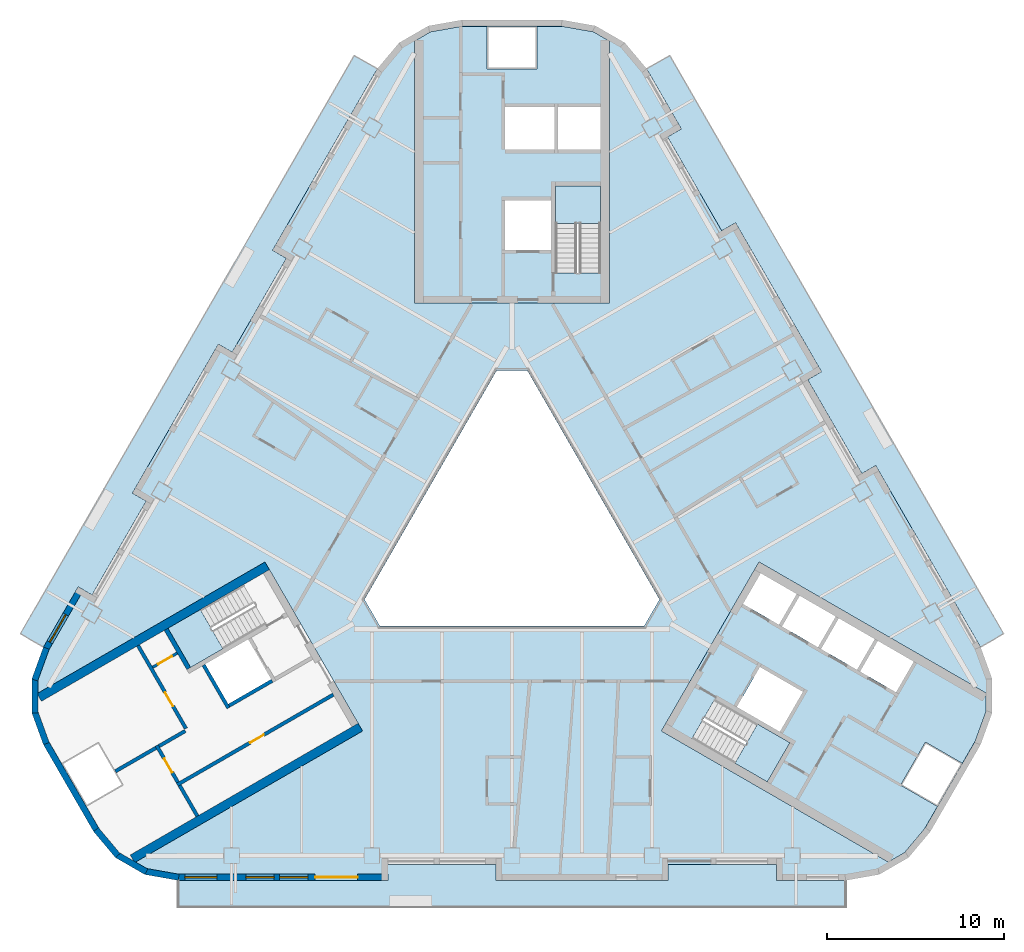
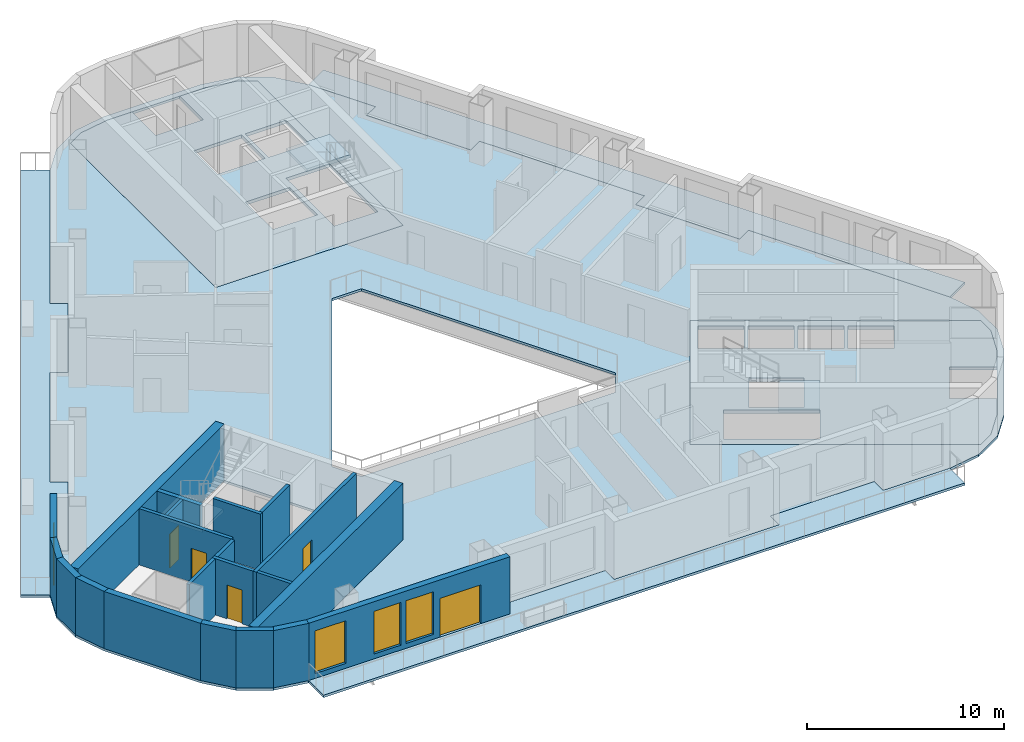
# One storey, part 2 of 13: 21 walls, 9 slabs, 5 doors, 4 windows, 9 openings, 3 elements without a shape of their own.
"""IFC4 building model written with IfcOpenShell, lengths in metres."""

from ifc_helpers import new_model, si_unit, direction, frame, frame_2d, origin, place, context, subcontext, project, spatial, polyline, rectangle, outline, extrude, material, layer, layer_set, type_object, element, fill, aggregate, save


model = new_model("IFC4")

# Units and contexts
model_context = context("Model", 3, precision=1e-05, world=origin(), true_north=direction((0.0, 1.0)))
body_context = subcontext(model_context, "Body", "Model", "MODEL_VIEW")
ifc_project = project(units=[si_unit("LENGTHUNIT", "METRE"), si_unit("AREAUNIT", "SQUARE_METRE"), si_unit("VOLUMEUNIT", "CUBIC_METRE"), si_unit("PLANEANGLEUNIT", "RADIAN"), si_unit("MASSUNIT", "GRAM", prefix="KILO")], contexts=[model_context])

# Site, building, storey
site_placement = place(None, origin())
site = spatial("IfcSite", under=ifc_project, at=site_placement, CompositionType="ELEMENT")
building_placement = place(site_placement, origin())
building = spatial("IfcBuilding", under=site, at=building_placement, Name="Apuvela Tower Hotel", CompositionType="ELEMENT")
storey_placement = place(building_placement, frame((0.0, 0.0, 124.199951171875)))
storey = spatial("IfcBuildingStorey", under=building, at=storey_placement, Name="L29", CompositionType="ELEMENT", Elevation=124.199951171875)

# Slabs
ifc_material_1 = material(Name="Concrete C50/60", Category="concrete")
ifc_layer_1 = layer(ifc_material_1, 0.199951171875)
ifc_layer_set_1 = layer_set([ifc_layer_1], Name="COR-FLOOR-200")
slab_type_1 = type_object("IfcSlabType", Name="COR-FLOOR-200", PredefinedType="FLOOR", material=ifc_layer_set_1)
slab_1_placement = place(storey_placement, frame((0.0, 0.0, -0.199951171875)))
element("IfcSlab", 1, at=slab_1_placement, inside=storey, type_object=slab_type_1, Name="Core floor N", PredefinedType="FLOOR", context=body_context, shape_type="SweptSolid", body=[
    extrude(outline(polyline([(5.5, 27.668212890625), (4.588623046875, 28.1943359375), (2.85498046875, 28.5), (1.39990234375, 28.5), (1.39990234375, 26.10009765625), (-1.39990234375, 26.10009765625), (-1.39990234375, 28.5), (-2.85498046875, 28.5), (-4.588623046875, 28.1943359375), (-5.5, 27.668212890625), (-5.5, 12.89990234375), (5.5, 12.89990234375), (5.5, 27.668212890625)]), holes=[polyline([(5.0, 14.60595703125), (2.449951171875, 14.60595703125), (2.449951171875, 19.5), (5.0, 19.5), (5.0, 14.60595703125)]), polyline([(2.199951171875, 15.89990234375), (-0.39990234375, 15.89990234375), (-0.39990234375, 18.699951171875), (2.199951171875, 18.699951171875), (2.199951171875, 15.89990234375)]), polyline([(5.0, 21.550048828125), (2.60009765625, 21.550048828125), (2.60009765625, 23.949951171875), (5.0, 23.949951171875), (5.0, 21.550048828125)]), polyline([(2.39990234375, 21.550048828125), (-0.39990234375, 21.550048828125), (-0.39990234375, 23.949951171875), (2.39990234375, 23.949951171875), (2.39990234375, 21.550048828125)])]), origin(), (0.0, 0.0, 1.0), 0.199951171875),
])
slab_2_placement = place(storey_placement, frame((0.0, 0.0, -0.199951171875)))
element("IfcSlab", 2, at=slab_2_placement, inside=storey, type_object=slab_type_1, Name="Core floor SE", PredefinedType="FLOOR", context=body_context, shape_type="SweptSolid", body=[
    extrude(outline(polyline([(21.211181640625, -18.59716796875), (22.122802734375, -18.071044921875), (23.254150390625, -16.72265625), (23.981689453125, -15.46240234375), (21.9033203125, -14.262451171875), (23.30322265625, -11.837646484375), (25.381591796875, -13.03759765625), (26.109375, -11.77734375), (26.711181640625, -10.123291015625), (26.711181640625, -9.07080078125), (13.921630859375, -1.68701171875), (8.421630859375, -11.213134765625), (21.211181640625, -18.59716796875)]), holes=[polyline([(13.01806640625, -4.052001953125), (14.01806640625, -2.31982421875), (16.044677734375, -3.489990234375), (15.044677734375, -5.221923828125), (13.01806640625, -4.052001953125)]), polyline([(17.244384765625, -6.491943359375), (15.2177734375, -5.322021484375), (16.2177734375, -3.58984375), (18.244384765625, -4.760009765625), (17.244384765625, -6.491943359375)]), polyline([(14.387451171875, -14.080078125), (10.149169921875, -11.633056640625), (11.42431640625, -9.4248046875), (15.66259765625, -11.871826171875), (14.387451171875, -14.080078125)]), polyline([(12.669921875, -9.855224609375), (13.9697265625, -7.603515625), (16.394775390625, -9.003662109375), (15.0947265625, -11.25537109375), (12.669921875, -9.855224609375)]), polyline([(19.444091796875, -7.761962890625), (17.41748046875, -6.591796875), (18.41748046875, -4.85986328125), (20.444091796875, -6.02978515625), (19.444091796875, -7.761962890625)]), polyline([(21.643798828125, -9.031982421875), (19.6171875, -7.86181640625), (20.6171875, -6.1298828125), (22.643798828125, -7.2998046875), (21.643798828125, -9.031982421875)])]), origin(), (0.0, 0.0, 1.0), 0.199951171875),
])

# Stair, slab
stair_type = type_object("IfcStairType", Name="COR-STAIR-22R", PredefinedType="HALF_TURN_STAIR", material=ifc_material_1)
stair_1_placement = place(storey_placement, origin())
stair_1 = element("IfcStair", 3, at=stair_1_placement, inside=storey, type_object=stair_type, Name="L29 Exit stair ST1", PredefinedType="HALF_TURN_STAIR")
ifc_layer_2 = layer(ifc_material_1, 0.199951171875)
ifc_layer_set_2 = layer_set([ifc_layer_2], Name="COR-LANDING-200")
slab_type_2 = type_object("IfcSlabType", Name="COR-LANDING-200", PredefinedType="LANDING", material=ifc_layer_set_2)
slab_3_placement = place(storey_placement, frame((0.0, 0.0, 1.650146484375)))
slab_3 = element("IfcSlab", 4, at=slab_3_placement, type_object=slab_type_2, Name="ST1 landing 1", PredefinedType="LANDING", context=body_context, shape_type="SweptSolid", body=[
    extrude(outline(polyline([(5.0, 17.39404296875), (5.0, 19.5), (2.449951171875, 19.5), (2.449951171875, 17.39404296875), (5.0, 17.39404296875)])), origin(), (0.0, 0.0, 1.0), 0.199951171875),
])
aggregate(stair_1, [slab_3])

stair_2_placement = place(storey_placement, origin())
stair_2 = element("IfcStair", 5, at=stair_2_placement, inside=storey, type_object=stair_type, Name="L29 Exit stair ST2", PredefinedType="HALF_TURN_STAIR")
slab_4_placement = place(storey_placement, frame((0.0, 0.0, 1.650146484375)))
slab_4 = element("IfcSlab", 6, at=slab_4_placement, type_object=slab_type_2, Name="ST2 landing 1", PredefinedType="LANDING", context=body_context, shape_type="SweptSolid", body=[
    extrude(outline(polyline([(-17.563720703125, -4.366943359375), (-19.387451171875, -5.419921875), (-18.112548828125, -7.628173828125), (-16.28857421875, -6.5751953125), (-17.563720703125, -4.366943359375)])), origin(), (0.0, 0.0, 1.0), 0.199951171875),
])
aggregate(stair_2, [slab_4])

stair_3_placement = place(storey_placement, origin())
stair_3 = element("IfcStair", 7, at=stair_3_placement, inside=storey, type_object=stair_type, Name="L29 Exit stair ST3", PredefinedType="HALF_TURN_STAIR")
slab_5_placement = place(storey_placement, frame((0.0, 0.0, 1.650146484375)))
slab_5 = element("IfcSlab", 8, at=slab_5_placement, type_object=slab_type_2, Name="ST3 landing 1", PredefinedType="LANDING", context=body_context, shape_type="SweptSolid", body=[
    extrude(outline(polyline([(12.563720703125, -13.027099609375), (14.387451171875, -14.080078125), (15.66259765625, -11.871826171875), (13.838623046875, -10.81884765625), (12.563720703125, -13.027099609375)])), origin(), (0.0, 0.0, 1.0), 0.199951171875),
])
aggregate(stair_3, [slab_5])

# Slabs
ifc_material_2 = material(Name="Concrete C40/50, fair-faced", Category="concrete")
ifc_layer_3 = layer(ifc_material_2, 0.14990234375)
ifc_layer_set_3 = layer_set([ifc_layer_3], Name="ENV-BALCONY-150")
slab_type_3 = type_object("IfcSlabType", Name="ENV-BALCONY-150", PredefinedType="FLOOR", material=ifc_layer_set_3)
slab_6_placement = place(storey_placement, frame((0.0, 0.0, -0.14990234375)))
element("IfcSlab", 9, at=slab_6_placement, inside=storey, type_object=slab_type_3, Name="Balcony slab S L29", PredefinedType="FLOOR", context=body_context, shape_type="SweptSolid", body=[
    extrude(outline(polyline([(18.82080078125, -21.135009765625), (-18.82080078125, -21.135009765625), (-18.82080078125, -19.625), (-7.0048828125, -19.625), (-7.0048828125, -18.72509765625), (-0.89501953125, -18.72509765625), (-0.89501953125, -19.625), (8.794921875, -19.625), (8.794921875, -18.72509765625), (14.905029296875, -18.72509765625), (14.905029296875, -19.625), (18.82080078125, -19.625), (18.82080078125, -21.135009765625)])), origin(), (0.0, 0.0, 1.0), 0.14990234375),
])
slab_7_placement = place(storey_placement, frame((0.0, 0.0, -0.14990234375)))
element("IfcSlab", 10, at=slab_7_placement, inside=storey, type_object=slab_type_3, Name="Balcony slab NE L29", PredefinedType="FLOOR", context=body_context, shape_type="SweptSolid", body=[
    extrude(outline(polyline([(17.443359375, 9.037353515625), (12.598388671875, 17.42919921875), (11.81884765625, 16.979248046875), (8.763916015625, 22.2705078125), (9.543212890625, 22.720703125), (7.585205078125, 26.11181640625), (8.89306640625, 26.86669921875), (27.7138671875, -5.731689453125), (26.40625, -6.48681640625), (20.498291015625, 3.74609375), (19.71875, 3.2958984375), (16.663818359375, 8.58740234375), (17.443359375, 9.037353515625)])), origin(), (0.0, 0.0, 1.0), 0.14990234375),
])
slab_8_placement = place(storey_placement, frame((0.0, 0.0, -0.14990234375)))
element("IfcSlab", 11, at=slab_8_placement, inside=storey, type_object=slab_type_3, Name="Balcony slab NW L29", PredefinedType="FLOOR", context=body_context, shape_type="SweptSolid", body=[
    extrude(outline(polyline([(-27.7138671875, -5.731689453125), (-8.89306640625, 26.86669921875), (-7.585205078125, 26.11181640625), (-13.4931640625, 15.87890625), (-12.7138671875, 15.428955078125), (-15.768798828125, 10.1376953125), (-16.548095703125, 10.587646484375), (-21.393310546875, 2.19580078125), (-20.61376953125, 1.745849609375), (-23.668701171875, -3.545654296875), (-24.4482421875, -3.095703125), (-26.40625, -6.48681640625), (-27.7138671875, -5.731689453125)])), origin(), (0.0, 0.0, 1.0), 0.14990234375),
])
ifc_material_3 = material(Name="Concrete C35/45", Category="concrete")
ifc_layer_4 = layer(ifc_material_3, 0.14990234375)
ifc_layer_set_4 = layer_set([ifc_layer_4], Name="STR-SLAB 150 floor Concrete C35/45")
slab_type_4 = type_object("IfcSlabType", Name="STR-SLAB 150 floor Concrete C35/45", PredefinedType="FLOOR", material=ifc_layer_set_4)
slab_9_placement = place(storey_placement, frame((0.0, 0.0, -0.14990234375)))
element("IfcSlab", 12, at=slab_9_placement, inside=storey, type_object=slab_type_4, Name="Floor slab S4 L29", PredefinedType="FLOOR", context=body_context, shape_type="SweptSolid", body=[
    extrude(outline(polyline([(-6.3642578125, 27.5732421875), (-4.710205078125, 28.5283203125), (-2.8291015625, 28.860107421875), (2.8291015625, 28.860107421875), (4.710205078125, 28.5283203125), (6.3642578125, 27.5732421875), (7.59228515625, 26.110107421875), (9.550048828125, 22.71875), (8.770751953125, 22.268798828125), (11.82080078125, 16.986083984375), (12.60009765625, 17.43603515625), (17.4501953125, 9.035400390625), (16.670654296875, 8.58544921875), (19.720703125, 3.302734375), (20.5, 3.752685546875), (26.407958984375, -6.47998046875), (27.061279296875, -8.27490234375), (27.061279296875, -10.18505859375), (26.407958984375, -11.97998046875), (23.5791015625, -16.8798828125), (22.351318359375, -18.34326171875), (20.697021484375, -19.29833984375), (18.81591796875, -19.6298828125), (14.89990234375, -19.6298828125), (14.89990234375, -18.72998046875), (8.800048828125, -18.72998046875), (8.800048828125, -19.6298828125), (-0.89990234375, -19.6298828125), (-0.89990234375, -18.72998046875), (-7.0, -18.72998046875), (-7.0, -19.6298828125), (-18.81591796875, -19.6298828125), (-20.697021484375, -19.29833984375), (-22.351318359375, -18.34326171875), (-23.5791015625, -16.8798828125), (-26.407958984375, -11.97998046875), (-27.061279296875, -10.18505859375), (-27.061279296875, -8.27490234375), (-26.407958984375, -6.47998046875), (-24.4501953125, -3.088623046875), (-23.670654296875, -3.538818359375), (-20.62060546875, 1.743896484375), (-21.400146484375, 2.194091796875), (-16.550048828125, 10.594482421875), (-15.7705078125, 10.14453125), (-12.720703125, 15.42724609375), (-13.5, 15.877197265625), (-7.59228515625, 26.110107421875), (-6.3642578125, 27.5732421875)]), holes=[polyline([(0.865966796875, 9.10009765625), (-0.865966796875, 9.10009765625), (-8.313720703125, -3.800048828125), (-7.44775390625, -5.300048828125), (7.44775390625, -5.300048828125), (8.313720703125, -3.800048828125), (0.865966796875, 9.10009765625)]), polyline([(-5.5, 12.89990234375), (-5.5, 27.668212890625), (-4.588623046875, 28.1943359375), (-2.85498046875, 28.5), (2.85498046875, 28.5), (4.588623046875, 28.1943359375), (5.5, 27.668212890625), (5.5, 12.89990234375), (-5.5, 12.89990234375)]), polyline([(-8.421630859375, -11.213134765625), (-21.211181640625, -18.59716796875), (-22.122802734375, -18.071044921875), (-23.254150390625, -16.72265625), (-26.109375, -11.77734375), (-26.711181640625, -10.123291015625), (-26.711181640625, -9.07080078125), (-13.921630859375, -1.68701171875), (-8.421630859375, -11.213134765625)]), polyline([(13.921630859375, -1.68701171875), (26.711181640625, -9.07080078125), (26.711181640625, -10.123291015625), (26.109375, -11.77734375), (23.254150390625, -16.72265625), (22.122802734375, -18.071044921875), (21.211181640625, -18.59716796875), (8.421630859375, -11.213134765625), (13.921630859375, -1.68701171875)])]), origin(), (0.0, 0.0, 1.0), 0.14990234375),
])

# Walls
ifc_layer_5 = layer(ifc_material_1, 0.5)
ifc_layer_set_5 = layer_set([ifc_layer_5], Name="COR-WALL-CORE-500")
wall_type_1 = type_object("IfcWallType", Name="COR-WALL-CORE-500", PredefinedType="SHEAR", material=ifc_layer_set_5)
for number, where, z_axis, x_axis, name in (
    (13, (-13.796630859375, -1.9033203125, 0.0), (0.0, 0.0, 1.0), (-0.866025009528, -0.500000682871, 0.0), "Core wall SW"),
    (14, (-8.546630859375, -10.99658203125, 0.0), (0.0, 0.0, 1.0), (-0.866025009528, -0.500000682871, 0.0), "Core wall SW"),
):
    element("IfcWall", number, at=place(storey_placement, frame(where, z_axis=z_axis, x_axis=x_axis)), inside=storey, type_object=wall_type_1, Name=name, PredefinedType="SHEAR", context=body_context, shape_type="SweptSolid", body=[
        extrude(rectangle(XDim=14.8369140625, YDim=0.5, at=frame_2d((7.41845703125, 0.0))), origin(), (0.0, 0.0, 1.0), 3.5),
    ])

# Wall, opening, door
ifc_material_4 = material(Name="Blockwork 150 mm plastered", Category="masonry")
ifc_layer_6 = layer(ifc_material_4, 0.14990234375)
ifc_layer_set_6 = layer_set([ifc_layer_6], Name="COR-WALL-PART-150")
wall_type_2 = type_object("IfcWallType", Name="COR-WALL-PART-150", PredefinedType="PARTITIONING", material=ifc_layer_set_6)
wall_1_placement = place(storey_placement, frame((-18.866455078125, -6.822265625, 0.0), z_axis=(0.0, 0.0, 1.0), x_axis=(-0.866028054938, -0.499995408039, 0.0)))
wall_1 = element("IfcWall", 15, at=wall_1_placement, inside=storey, type_object=wall_type_2, Name="Partition SW", PredefinedType="PARTITIONING", context=body_context, shape_type="SweptSolid", body=[
    extrude(rectangle(XDim=1.60009765625, YDim=0.14990234375, at=frame_2d((0.800048828125, 0.0))), origin(), (0.0, 0.0, 1.0), 3.5),
])
opening_1_placement = place(wall_1_placement, frame((0.35009765625, 0.0, 0.0)))
opening_1 = element("IfcOpeningElement", 16, at=opening_1_placement, cuts=wall_1, Name="Opening W-RD", PredefinedType="OPENING", context=body_context, shape_type="SweptSolid", body=[
    extrude(rectangle(XDim=0.89990234375, YDim=2.10009765625, at=frame_2d((0.449951171875, 1.050048828125))), frame((0.0, 0.0849609375, 0.0), z_axis=(0.0, -1.0, 0.0), x_axis=(1.0, 0.0, 0.0)), (0.0, 0.0, 1.0), 0.169921875),
])
ifc_material_5 = material(Name="Steel access door, powder coated", Category="steel")
door_type_1 = type_object("IfcDoorType", Name="COR-RD-900", OperationType="NOTDEFINED", PredefinedType="DOOR", material=ifc_material_5)
door_1_placement = place(opening_1_placement, frame((0.89990234375, 0.0, 0.0), z_axis=(0.0, 0.0, 1.0), x_axis=(-1.0, 0.0, 0.0)))
door_1 = element("IfcDoor", 17, at=door_1_placement, inside=storey, type_object=door_type_1, Name="Riser door W-RD", OperationType="SINGLE_SWING_RIGHT", OverallHeight=2.10009765625, OverallWidth=0.89990234375, PredefinedType="DOOR", context=body_context, shape_type="SweptSolid", body=[
    extrude(rectangle(XDim=0.89990234375, YDim=2.10009765625, at=frame_2d((0.449951171875, 1.050048828125))), frame((0.0, 0.02490234375, 0.0), z_axis=(0.0, -1.0, 0.0), x_axis=(1.0, 0.0, 0.0)), (0.0, 0.0, 1.0), 0.050048828125),
])
fill(opening_1, door_1)

ifc_material_6 = material(Name="Blockwork 200 mm plastered", Category="masonry")
ifc_layer_7 = layer(ifc_material_6, 0.199951171875)
ifc_layer_set_7 = layer_set([ifc_layer_7], Name="COR-WALL-PART-200")
wall_type_3 = type_object("IfcWallType", Name="COR-WALL-PART-200", PredefinedType="PARTITIONING", material=ifc_layer_set_7)
wall_2_placement = place(storey_placement, frame((-21.076171875, -6.39501953125, 0.0), z_axis=(0.0, 0.0, 1.0), x_axis=(0.50001468107, -0.866016927499, 0.0)))
wall_2 = element("IfcWall", 18, at=wall_2_placement, inside=storey, type_object=wall_type_3, Name="Partition SW", PredefinedType="PARTITIONING", context=body_context, shape_type="SweptSolid", body=[
    extrude(rectangle(XDim=5.399658203125, YDim=0.199951171875, at=frame_2d((2.69970703125, 0.0))), origin(), (0.0, 0.0, 1.0), 3.5),
])
opening_2_placement = place(wall_2_placement, frame((3.050048828125, 0.0, 0.0)))
opening_2 = element("IfcOpeningElement", 19, at=opening_2_placement, cuts=wall_2, Name="Opening W-RS1", PredefinedType="OPENING", context=body_context, shape_type="SweptSolid", body=[
    extrude(rectangle(XDim=0.89990234375, YDim=2.10009765625, at=frame_2d((0.449951171875, 1.050048828125))), frame((0.0, 0.10986328125, 0.0), z_axis=(0.0, -1.0, 0.0), x_axis=(1.0, 0.0, 0.0)), (0.0, 0.0, 1.0), 0.219970703125),
])
ifc_material_7 = material(Name="Steel fire door, powder coated", Category="steel")
door_type_2 = type_object("IfcDoorType", Name="COR-DR-900", OperationType="NOTDEFINED", PredefinedType="DOOR", material=ifc_material_7)
door_2_placement = place(opening_2_placement, frame((0.89990234375, 0.0, 0.0), z_axis=(0.0, 0.0, 1.0), x_axis=(-1.0, 0.0, 0.0)))
door_2 = element("IfcDoor", 20, at=door_2_placement, inside=storey, type_object=door_type_2, Name="Store door W-RS1", OperationType="SINGLE_SWING_LEFT", OverallHeight=2.10009765625, OverallWidth=0.89990234375, PredefinedType="DOOR", context=body_context, shape_type="SweptSolid", body=[
    extrude(rectangle(XDim=0.89990234375, YDim=2.10009765625, at=frame_2d((0.449951171875, 1.050048828125))), frame((0.0, 0.02490234375, 0.0), z_axis=(0.0, -1.0, 0.0), x_axis=(1.0, 0.0, 0.0)), (0.0, 0.0, 1.0), 0.050048828125),
])
fill(opening_2, door_2)

# Walls
ifc_layer_8 = layer(ifc_material_1, 0.199951171875)
ifc_layer_set_8 = layer_set([ifc_layer_8], Name="COR-WALL-SHAFT-200")
wall_type_4 = type_object("IfcWallType", Name="COR-WALL-SHAFT-200", PredefinedType="SHEAR", material=ifc_layer_set_8)
wall_3_placement = place(storey_placement, frame((-17.38134765625, -7.49462890625, 0.0), z_axis=(0.0, 0.0, 1.0), x_axis=(0.500011755427, -0.866018616679, 0.0)))
element("IfcWall", 21, at=wall_3_placement, inside=storey, type_object=wall_type_4, Name="Shaft wall SW", PredefinedType="SHEAR", context=body_context, shape_type="SweptSolid", body=[
    extrude(rectangle(XDim=2.80029296875, YDim=0.199951171875, at=frame_2d((1.400146484375, 0.0))), origin(), (0.0, 0.0, 1.0), 3.5),
])
wall_4_placement = place(storey_placement, frame((-13.519775390625, -8.383056640625, 0.0), z_axis=(0.0, 0.0, 1.0), x_axis=(-0.866034573852, -0.49998411664, 0.0)))
element("IfcWall", 22, at=wall_4_placement, inside=storey, type_object=wall_type_4, Name="Shaft wall SW", PredefinedType="SHEAR", context=body_context, shape_type="SweptSolid", body=[
    extrude(rectangle(XDim=2.7998046875, YDim=0.199951171875, at=frame_2d((1.39990234375, 0.0))), origin(), (0.0, 0.0, 1.0), 3.5),
])

# Wall, opening, door
wall_5_placement = place(storey_placement, frame((-10.068115234375, -9.16162109375, 0.0), z_axis=(0.0, 0.0, 1.0), x_axis=(-0.866032725843, -0.499987317609, 0.0)))
wall_5 = element("IfcWall", 23, at=wall_5_placement, inside=storey, type_object=wall_type_4, Name="Shaft wall SW", PredefinedType="SHEAR", context=body_context, shape_type="SweptSolid", body=[
    extrude(rectangle(XDim=10.159912109375, YDim=0.199951171875, at=frame_2d((5.080078125, 0.0))), origin(), (0.0, 0.0, 1.0), 3.5),
])
opening_3_placement = place(wall_5_placement, frame((4.530029296875, 0.0, 0.0)))
opening_3 = element("IfcOpeningElement", 24, at=opening_3_placement, cuts=wall_5, Name="Opening W-RE1", PredefinedType="OPENING", context=body_context, shape_type="SweptSolid", body=[
    extrude(rectangle(XDim=0.89990234375, YDim=2.10009765625, at=frame_2d((0.449951171875, 1.050048828125))), frame((0.0, 0.10986328125, 0.0), z_axis=(0.0, -1.0, 0.0), x_axis=(1.0, 0.0, 0.0)), (0.0, 0.0, 1.0), 0.219970703125),
])
door_3_placement = place(opening_3_placement, origin())
door_3 = element("IfcDoor", 25, at=door_3_placement, inside=storey, type_object=door_type_2, Name="Store door W-RE1", OperationType="SINGLE_SWING_LEFT", OverallHeight=2.10009765625, OverallWidth=0.89990234375, PredefinedType="DOOR", context=body_context, shape_type="SweptSolid", body=[
    extrude(rectangle(XDim=0.89990234375, YDim=2.10009765625, at=frame_2d((0.449951171875, 1.050048828125))), frame((0.0, 0.02490234375, 0.0), z_axis=(0.0, -1.0, 0.0), x_axis=(1.0, 0.0, 0.0)), (0.0, 0.0, 1.0), 0.050048828125),
])
fill(opening_3, door_3)

wall_6_placement = place(storey_placement, frame((-20.030517578125, -12.0263671875, 0.0), z_axis=(0.0, 0.0, 1.0), x_axis=(0.500033551112, -0.866006032174, 0.0)))
wall_6 = element("IfcWall", 26, at=wall_6_placement, inside=storey, type_object=wall_type_4, Name="Shaft wall SW", PredefinedType="SHEAR", context=body_context, shape_type="SweptSolid", body=[
    extrude(rectangle(XDim=2.400146484375, YDim=0.199951171875, at=frame_2d((1.2001953125, 0.0))), origin(), (0.0, 0.0, 1.0), 3.5),
])
opening_4_placement = place(wall_6_placement, frame((0.85009765625, 0.0, 0.0)))
opening_4 = element("IfcOpeningElement", 27, at=opening_4_placement, cuts=wall_6, Name="Opening W-REP", PredefinedType="OPENING", context=body_context, shape_type="SweptSolid", body=[
    extrude(rectangle(XDim=0.89990234375, YDim=2.10009765625, at=frame_2d((0.449951171875, 1.050048828125))), frame((0.0, 0.10986328125, 0.0), z_axis=(0.0, -1.0, 0.0), x_axis=(1.0, 0.0, 0.0)), (0.0, 0.0, 1.0), 0.219970703125),
])
door_4_placement = place(opening_4_placement, frame((0.89990234375, 0.0, 0.0), z_axis=(0.0, 0.0, 1.0), x_axis=(-1.0, 0.0, 0.0)))
door_4 = element("IfcDoor", 28, at=door_4_placement, inside=storey, type_object=door_type_2, Name="Store door W-REP", OperationType="SINGLE_SWING_LEFT", OverallHeight=2.10009765625, OverallWidth=0.89990234375, PredefinedType="DOOR", context=body_context, shape_type="SweptSolid", body=[
    extrude(rectangle(XDim=0.89990234375, YDim=2.10009765625, at=frame_2d((0.449951171875, 1.050048828125))), frame((0.0, 0.02490234375, 0.0), z_axis=(0.0, -1.0, 0.0), x_axis=(1.0, 0.0, 0.0)), (0.0, 0.0, 1.0), 0.050048828125),
])
fill(opening_4, door_4)

# Walls
wall_7_placement = place(storey_placement, frame((-18.412841796875, -11.2080078125, 0.0), z_axis=(0.0, 0.0, 1.0), x_axis=(-0.866038183914, -0.499977863513, 0.0)))
element("IfcWall", 29, at=wall_7_placement, inside=storey, type_object=wall_type_4, Name="Shaft wall SW", PredefinedType="SHEAR", context=body_context, shape_type="SweptSolid", body=[
    extrude(rectangle(XDim=1.7099609375, YDim=0.199951171875, at=frame_2d((0.85498046875, 0.0))), origin(), (0.0, 0.0, 1.0), 3.5),
])
wall_8_placement = place(storey_placement, frame((-18.73046875, -14.278076171875, 0.0), z_axis=(0.0, 0.0, 1.0), x_axis=(0.50002537861, -0.866010750942, 0.0)))
element("IfcWall", 30, at=wall_8_placement, inside=storey, type_object=wall_type_4, Name="Shaft wall SW", PredefinedType="SHEAR", context=body_context, shape_type="SweptSolid", body=[
    extrude(rectangle(XDim=2.0, YDim=0.199951171875, at=frame_2d((1.0, 0.0))), origin(), (0.0, 0.0, 1.0), 3.5),
])
wall_9_placement = place(storey_placement, frame((-20.06689453125, -12.1630859375, 0.0), z_axis=(0.0, 0.0, 1.0), x_axis=(-0.866060851709, -0.499938597367, 0.0)))
element("IfcWall", 31, at=wall_9_placement, inside=storey, type_object=wall_type_4, Name="Shaft wall SW", PredefinedType="SHEAR", context=body_context, shape_type="SweptSolid", body=[
    extrude(rectangle(XDim=2.639892578125, YDim=0.199951171875, at=frame_2d((1.31982421875, 0.0))), origin(), (0.0, 0.0, 1.0), 3.5),
])
ifc_layer_9 = layer(ifc_material_1, 0.25)
ifc_layer_set_9 = layer_set([ifc_layer_9], Name="COR-WALL-STAIR-250")
wall_type_5 = type_object("IfcWallType", Name="COR-WALL-STAIR-250", PredefinedType="SHEAR", material=ifc_layer_set_9)
wall_10_placement = place(storey_placement, frame((-19.49560546875, -5.482421875, 0.0), z_axis=(0.0, 0.0, 1.0), x_axis=(0.499990435942, -0.866030925526, 0.0)))
element("IfcWall", 32, at=wall_10_placement, inside=storey, type_object=wall_type_5, Name="Stair wall SW", PredefinedType="SHEAR", context=body_context, shape_type="SweptSolid", body=[
    extrude(rectangle(XDim=2.5498046875, YDim=0.25, at=frame_2d((1.27490234375, 0.0))), origin(), (0.0, 0.0, 1.0), 3.5),
])

# Wall, opening, window
ifc_material_8 = material(Name="Concrete C40/50, dark pigmented precast panel", Category="concrete")
ifc_layer_10 = layer(ifc_material_8, 0.35009765625)
ifc_layer_set_10 = layer_set([ifc_layer_10], Name="ENV-WALL-350")
wall_type_6 = type_object("IfcWallType", Name="ENV-WALL-350", PredefinedType="SOLIDWALL", material=ifc_layer_set_10)
wall_11_placement = place(storey_placement, frame((-24.298583984375, -3.17626953125, 0.0), z_axis=(0.0, 0.0, 1.0), x_axis=(-0.500028278809, -0.866009076391, 0.0)))
wall_11 = element("IfcWall", 33, at=wall_11_placement, inside=storey, type_object=wall_type_6, Name="External wall L29-09", PredefinedType="SOLIDWALL", context=body_context, shape_type="SweptSolid", body=[
    extrude(rectangle(XDim=3.915771484375, YDim=0.35009765625, at=frame_2d((1.9580078125, 0.0))), origin(), (0.0, 0.0, 1.0), 3.550048828125),
])
opening_5_placement = place(wall_11_placement, frame((1.699951171875, 0.0, 0.300048828125)))
opening_5 = element("IfcOpeningElement", 34, at=opening_5_placement, cuts=wall_11, Name="Opening WN18", PredefinedType="OPENING", context=body_context, shape_type="SweptSolid", body=[
    extrude(rectangle(XDim=1.800048828125, YDim=2.64990234375, at=frame_2d((0.89990234375, 1.324951171875))), frame((0.0, 0.18505859375, 0.0), z_axis=(0.0, -1.0, 0.0), x_axis=(1.0, 0.0, 0.0)), (0.0, 0.0, 1.0), 0.3701171875),
])
ifc_material_9 = material(Name="Glass, dark tinted laminated insulated glazing unit", Category="glass")
window_type_1 = type_object("IfcWindowType", Name="ENV-WIN-1800x2650", PartitioningType="SINGLE_PANEL", PredefinedType="WINDOW", material=ifc_material_9)
window_1_placement = place(opening_5_placement, origin())
window_1 = element("IfcWindow", 35, at=window_1_placement, inside=storey, type_object=window_type_1, Name="Window WN18", OverallHeight=2.64990234375, OverallWidth=1.800048828125, PartitioningType="SINGLE_PANEL", PredefinedType="WINDOW", context=body_context, shape_type="SweptSolid", body=[
    extrude(rectangle(XDim=1.800048828125, YDim=2.64990234375, at=frame_2d((0.89990234375, 1.324951171875))), frame((0.0, 0.030029296875, 0.0), z_axis=(0.0, -1.0, 0.0), x_axis=(1.0, 0.0, 0.0)), (0.0, 0.0, 1.0), 0.06005859375),
])
fill(opening_5, window_1)

# Walls
for number, where, z_axis, x_axis, name in (
    (36, (-26.24365234375, -6.539794921875, 0.0), (0.0, 0.0, 1.0), (-0.342030395486, -0.939688889242, 0.0), "External wall L29-10"),
    (37, (-26.88623046875, -8.27490234375, 0.0), (0.0, 0.0, 1.0), (0.0, -1.0, 0.0), "External wall L29-11"),
    (38, (-26.89697265625, -10.125244140625, 0.0), (0.0, 0.0, 1.0), (0.342030395486, -0.939688889242, 0.0), "External wall L29-12"),
):
    element("IfcWall", number, at=place(storey_placement, frame(where, z_axis=z_axis, x_axis=x_axis)), inside=storey, type_object=wall_type_6, Name=name, PredefinedType="SOLIDWALL", context=body_context, shape_type="SweptSolid", body=[
        extrude(rectangle(XDim=1.91015625, YDim=0.35009765625, at=frame_2d((0.955078125, 0.0))), origin(), (0.0, 0.0, 1.0), 3.550048828125),
    ])
wall_12_placement = place(storey_placement, frame((-26.256591796875, -11.892578125, 0.0), z_axis=(0.0, 0.0, 1.0), x_axis=(0.500018773155, -0.866014564827, 0.0)))
element("IfcWall", 39, at=wall_12_placement, inside=storey, type_object=wall_type_6, Name="External wall L29-13", PredefinedType="SOLIDWALL", context=body_context, shape_type="SweptSolid", body=[
    extrude(rectangle(XDim=5.657958984375, YDim=0.35009765625, at=frame_2d((2.8291015625, 0.0))), origin(), (0.0, 0.0, 1.0), 3.550048828125),
])
for number, where, z_axis, x_axis, name in (
    (40, (-23.44482421875, -16.767578125, 0.0), (0.0, 0.0, 1.0), (0.642733291068, -0.76609001857, 0.0), "External wall L29-14"),
    (41, (-22.263671875, -18.191650390625, 0.0), (0.0, 0.0, 1.0), (0.866000389056, -0.500043324278, 0.0), "External wall L29-15"),
):
    element("IfcWall", number, at=place(storey_placement, frame(where, z_axis=z_axis, x_axis=x_axis)), inside=storey, type_object=wall_type_6, Name=name, PredefinedType="SOLIDWALL", context=body_context, shape_type="SweptSolid", body=[
        extrude(rectangle(XDim=1.909912109375, YDim=0.35009765625, at=frame_2d((0.955078125, 0.0))), origin(), (0.0, 0.0, 1.0), 3.550048828125),
    ])
wall_13_placement = place(storey_placement, frame((-20.66650390625, -19.1259765625, 0.0), z_axis=(0.0, 0.0, 1.0), x_axis=(0.984798995425, -0.173697837091, 0.0)))
element("IfcWall", 42, at=wall_13_placement, inside=storey, type_object=wall_type_6, Name="External wall L29-16", PredefinedType="SOLIDWALL", context=body_context, shape_type="SweptSolid", body=[
    extrude(rectangle(XDim=1.91015625, YDim=0.35009765625, at=frame_2d((0.955078125, 0.0))), origin(), (0.0, 0.0, 1.0), 3.550048828125),
])

# Wall, openings, door, windows
wall_14_placement = place(storey_placement, frame((-18.81591796875, -19.455078125, 0.0), z_axis=(0.0, 0.0, 1.0), x_axis=(1.0, 0.0, 0.0)))
wall_14 = element("IfcWall", 43, at=wall_14_placement, inside=storey, type_object=wall_type_6, Name="External wall L29-17", PredefinedType="SOLIDWALL", context=body_context, shape_type="SweptSolid", body=[
    extrude(rectangle(XDim=11.81591796875, YDim=0.35009765625, at=frame_2d((5.907958984375, 0.0))), origin(), (0.0, 0.0, 1.0), 3.550048828125),
])
opening_6_placement = place(wall_14_placement, frame((0.380615234375, 0.0, 0.300048828125)))
opening_6 = element("IfcOpeningElement", 44, at=opening_6_placement, cuts=wall_14, Name="Opening WN18", PredefinedType="OPENING", context=body_context, shape_type="SweptSolid", body=[
    extrude(rectangle(XDim=1.800048828125, YDim=2.64990234375, at=frame_2d((0.89990234375, 1.324951171875))), frame((0.0, 0.18505859375, 0.0), z_axis=(0.0, -1.0, 0.0), x_axis=(1.0, 0.0, 0.0)), (0.0, 0.0, 1.0), 0.3701171875),
])
opening_7_placement = place(wall_14_placement, frame((7.71630859375, 0.0, 0.0)))
opening_7 = element("IfcOpeningElement", 45, at=opening_7_placement, cuts=wall_14, Name="Opening BD24", PredefinedType="OPENING", context=body_context, shape_type="SweptSolid", body=[
    extrude(rectangle(XDim=2.39990234375, YDim=2.39990234375, at=frame_2d((1.199951171875, 1.199951171875))), frame((0.0, 0.18505859375, 0.0), z_axis=(0.0, -1.0, 0.0), x_axis=(1.0, 0.0, 0.0)), (0.0, 0.0, 1.0), 0.3701171875),
])
opening_8_placement = place(wall_14_placement, frame((3.816162109375, 0.0, 0.300048828125)))
opening_8 = element("IfcOpeningElement", 46, at=opening_8_placement, cuts=wall_14, Name="Opening WN16", PredefinedType="OPENING", context=body_context, shape_type="SweptSolid", body=[
    extrude(rectangle(XDim=1.60009765625, YDim=2.64990234375, at=frame_2d((0.800048828125, 1.324951171875))), frame((0.0, 0.18505859375, 0.0), z_axis=(0.0, -1.0, 0.0), x_axis=(1.0, 0.0, 0.0)), (0.0, 0.0, 1.0), 0.3701171875),
])
opening_9_placement = place(wall_14_placement, frame((5.71630859375, 0.0, 0.300048828125)))
opening_9 = element("IfcOpeningElement", 47, at=opening_9_placement, cuts=wall_14, Name="Opening WN16", PredefinedType="OPENING", context=body_context, shape_type="SweptSolid", body=[
    extrude(rectangle(XDim=1.60009765625, YDim=2.64990234375, at=frame_2d((0.800048828125, 1.324951171875))), frame((0.0, 0.18505859375, 0.0), z_axis=(0.0, -1.0, 0.0), x_axis=(1.0, 0.0, 0.0)), (0.0, 0.0, 1.0), 0.3701171875),
])
ifc_material_10 = material(Name="Aluminium 6063-T6, dark bronze anodised frame with dark tinted laminated glass", Category="aluminium")
door_type_3 = type_object("IfcDoorType", Name="ENV-DOOR-BALCONY-2400x2400", OperationType="SLIDING_TO_LEFT", PredefinedType="DOOR", material=ifc_material_10)
door_5_placement = place(opening_7_placement, frame((2.39990234375, 0.0, 0.0), z_axis=(0.0, 0.0, 1.0), x_axis=(-1.0, 0.0, 0.0)))
door_5 = element("IfcDoor", 48, at=door_5_placement, inside=storey, type_object=door_type_3, Name="Balcony door BD24", OperationType="SLIDING_TO_LEFT", OverallHeight=2.39990234375, OverallWidth=2.39990234375, PredefinedType="DOOR", context=body_context, shape_type="SweptSolid", body=[
    extrude(rectangle(XDim=2.39990234375, YDim=2.39990234375, at=frame_2d((1.199951171875, 1.199951171875))), frame((0.0, 0.02490234375, 0.0), z_axis=(0.0, -1.0, 0.0), x_axis=(1.0, 0.0, 0.0)), (0.0, 0.0, 1.0), 0.050048828125),
])
fill(opening_7, door_5)
window_type_2 = type_object("IfcWindowType", Name="ENV-WIN-1600x2650", PartitioningType="SINGLE_PANEL", PredefinedType="WINDOW", material=ifc_material_9)
window_2_placement = place(opening_8_placement, origin())
window_2 = element("IfcWindow", 49, at=window_2_placement, inside=storey, type_object=window_type_2, Name="Window WN16", OverallHeight=2.64990234375, OverallWidth=1.60009765625, PartitioningType="SINGLE_PANEL", PredefinedType="WINDOW", context=body_context, shape_type="SweptSolid", body=[
    extrude(rectangle(XDim=1.60009765625, YDim=2.64990234375, at=frame_2d((0.800048828125, 1.324951171875))), frame((0.0, 0.030029296875, 0.0), z_axis=(0.0, -1.0, 0.0), x_axis=(1.0, 0.0, 0.0)), (0.0, 0.0, 1.0), 0.06005859375),
])
fill(opening_8, window_2)
window_3_placement = place(opening_9_placement, origin())
window_3 = element("IfcWindow", 50, at=window_3_placement, inside=storey, type_object=window_type_2, Name="Window WN16", OverallHeight=2.64990234375, OverallWidth=1.60009765625, PartitioningType="SINGLE_PANEL", PredefinedType="WINDOW", context=body_context, shape_type="SweptSolid", body=[
    extrude(rectangle(XDim=1.60009765625, YDim=2.64990234375, at=frame_2d((0.800048828125, 1.324951171875))), frame((0.0, 0.030029296875, 0.0), z_axis=(0.0, -1.0, 0.0), x_axis=(1.0, 0.0, 0.0)), (0.0, 0.0, 1.0), 0.06005859375),
])
fill(opening_9, window_3)
window_4_placement = place(opening_6_placement, origin())
window_4 = element("IfcWindow", 51, at=window_4_placement, inside=storey, type_object=window_type_1, Name="Window WN18", OverallHeight=2.64990234375, OverallWidth=1.800048828125, PartitioningType="SINGLE_PANEL", PredefinedType="WINDOW", context=body_context, shape_type="SweptSolid", body=[
    extrude(rectangle(XDim=1.800048828125, YDim=2.64990234375, at=frame_2d((0.89990234375, 1.324951171875))), frame((0.0, 0.030029296875, 0.0), z_axis=(0.0, -1.0, 0.0), x_axis=(1.0, 0.0, 0.0)), (0.0, 0.0, 1.0), 0.06005859375),
])
fill(opening_6, window_4)

save(model, "model.ifc")
